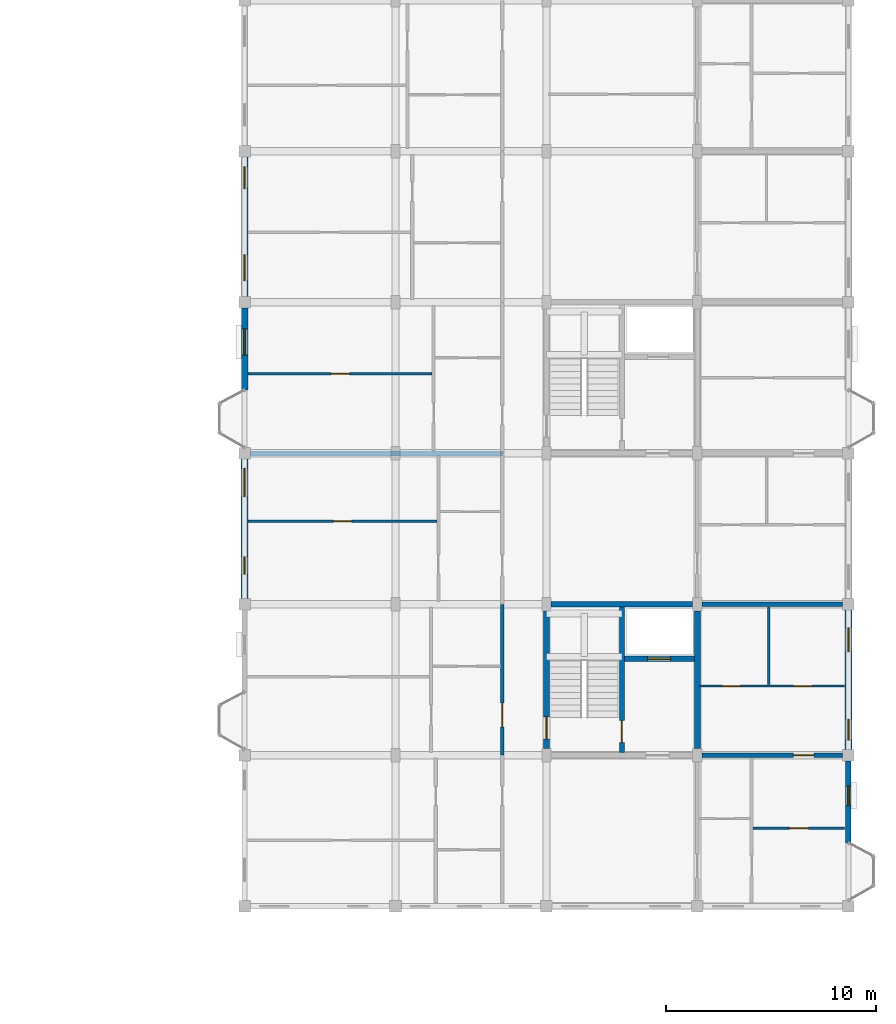
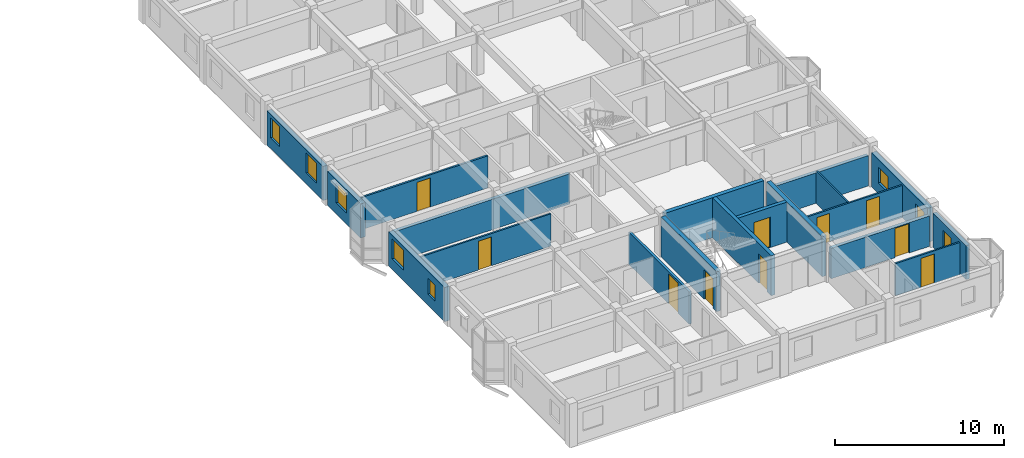
# One storey, part 61 of 77: 19 walls, 10 doors, 8 windows, 18 openings.
"""IFC4 building model written with IfcOpenShell, lengths in metres."""

from ifc_helpers import new_model, si_unit, direction, frame, frame_2d, origin, place, context, subcontext, project, spatial, rectangle, extrude, material, layer, layer_set, type_object, element, fill, save


model = new_model("IFC4")

# Units and contexts
model_context = context("Model", 3, precision=1e-05, world=origin(), true_north=direction((0.0, 1.0)))
body_context = subcontext(model_context, "Body", "Model", "MODEL_VIEW")
ifc_project = project(units=[si_unit("LENGTHUNIT", "METRE"), si_unit("AREAUNIT", "SQUARE_METRE"), si_unit("VOLUMEUNIT", "CUBIC_METRE"), si_unit("PLANEANGLEUNIT", "RADIAN"), si_unit("MASSUNIT", "GRAM", prefix="KILO"), si_unit("THERMODYNAMICTEMPERATUREUNIT", "KELVIN"), si_unit("POWERUNIT", "WATT")], contexts=[model_context])

# Site, building, storey
site_placement = place(None, origin())
site = spatial("IfcSite", under=ifc_project, at=site_placement, CompositionType="ELEMENT")
building_placement = place(site_placement, origin())
building = spatial("IfcBuilding", under=site, at=building_placement, Name="Tavuni Mirador Residences", CompositionType="ELEMENT")
storey_placement = place(building_placement, frame((0.0, 0.0, 17.10009765625)))
storey = spatial("IfcBuildingStorey", under=building, at=storey_placement, Name="L05", CompositionType="ELEMENT", Elevation=17.10009765625)

# Wall, opening, door
ifc_material_1 = material(Name="Precast concrete C40/50", Category="concrete")
ifc_layer_1 = layer(ifc_material_1, 0.25, Name="Precast concrete C40/50", Category="concrete")
ifc_layer_set_1 = layer_set([ifc_layer_1], Name="Precast concrete C40/50")
wall_type_1 = type_object("IfcWallType", Name="WT-COR250", PredefinedType="SHEAR", material=ifc_layer_set_1)
wall_1_placement = place(storey_placement, frame((108.0, 93.739990234375, 0.0), z_axis=(0.0, 0.0, 1.0), x_axis=(0.0, 1.0, 0.0)))
wall_1 = element("IfcWall", 1, at=wall_1_placement, inside=storey, type_object=wall_type_1, Name="CWALL-C7-L05-MID", PredefinedType="SHEAR", context=body_context, shape_type="SweptSolid", body=[
    extrude(rectangle(XDim=6.919921875, YDim=0.25, at=frame_2d((3.4599609375, 0.0))), origin(), (0.0, 0.0, 1.0), 2.889892578125),
])
opening_1_placement = place(wall_1_placement, frame((0.4599609375, 0.0, 0.0)))
opening_1 = element("IfcOpeningElement", 2, at=opening_1_placement, cuts=wall_1, Name="Opening D-01", PredefinedType="OPENING", context=body_context, shape_type="SweptSolid", body=[
    extrude(rectangle(XDim=1.050048828125, YDim=2.14990234375, at=frame_2d((0.52490234375, 1.074951171875))), frame((0.0, 0.135009765625, 0.0), z_axis=(0.0, -1.0, 0.0), x_axis=(1.0, 0.0, 0.0)), (0.0, 0.0, 1.0), 0.27001953125),
])
ifc_material_2 = material(Name="Solid core iroko timber", Category="wood")
door_type_1 = type_object("IfcDoorType", Name="DT-ST1050", OperationType="NOTDEFINED", PredefinedType="DOOR", material=ifc_material_2)
door_1_placement = place(opening_1_placement, origin())
door_1 = element("IfcDoor", 3, at=door_1_placement, inside=storey, type_object=door_type_1, Name="DR-2287", OperationType="SINGLE_SWING_LEFT", OverallHeight=2.14990234375, OverallWidth=1.050048828125, PredefinedType="DOOR", context=body_context, shape_type="SweptSolid", body=[
    extrude(rectangle(XDim=1.050048828125, YDim=2.14990234375, at=frame_2d((0.52490234375, 1.074951171875))), frame((0.0, 0.02490234375, 0.0), z_axis=(0.0, -1.0, 0.0), x_axis=(1.0, 0.0, 0.0)), (0.0, 0.0, 1.0), 0.050048828125),
])
fill(opening_1, door_1)

wall_2_placement = place(storey_placement, frame((108.125, 98.199951171875, 0.0), z_axis=(0.0, 0.0, 1.0), x_axis=(1.0, 0.0, 0.0)))
wall_2 = element("IfcWall", 4, at=wall_2_placement, inside=storey, type_object=wall_type_1, Name="CWALL-C7-L05-SHF", PredefinedType="SHEAR", context=body_context, shape_type="SweptSolid", body=[
    extrude(rectangle(XDim=3.3349609375, YDim=0.25, at=frame_2d((1.66748046875, 0.0))), origin(), (0.0, 0.0, 1.0), 2.889892578125),
])
opening_2_placement = place(wall_2_placement, frame((1.10009765625, 0.0, 0.0)))
opening_2 = element("IfcOpeningElement", 5, at=opening_2_placement, cuts=wall_2, Name="Opening LD-01", PredefinedType="OPENING", context=body_context, shape_type="SweptSolid", body=[
    extrude(rectangle(XDim=1.10009765625, YDim=2.199951171875, at=frame_2d((0.550048828125, 1.10009765625))), frame((0.0, 0.135009765625, 0.0), z_axis=(0.0, -1.0, 0.0), x_axis=(1.0, 0.0, 0.0)), (0.0, 0.0, 1.0), 0.27001953125),
])
ifc_material_3 = material(Name="Structural steel S355", Category="steel")
door_type_2 = type_object("IfcDoorType", Name="DT-LD-FF", OperationType="SLIDING_TO_LEFT", PredefinedType="DOOR", material=ifc_material_3)
door_2_placement = place(opening_2_placement, origin())
door_2 = element("IfcDoor", 6, at=door_2_placement, inside=storey, type_object=door_type_2, Name="Lift landing door FL-D1 L05", OperationType="SLIDING_TO_LEFT", OverallHeight=2.199951171875, OverallWidth=1.10009765625, PredefinedType="DOOR", context=body_context, shape_type="SweptSolid", body=[
    extrude(rectangle(XDim=1.10009765625, YDim=2.199951171875, at=frame_2d((0.550048828125, 1.10009765625))), frame((0.0, 0.02490234375, 0.0), z_axis=(0.0, -1.0, 0.0), x_axis=(1.0, 0.0, 0.0)), (0.0, 0.0, 1.0), 0.050048828125),
])
fill(opening_2, door_2)

ifc_layer_2 = layer(ifc_material_1, 0.280029296875, Name="Precast concrete C40/50", Category="concrete")
ifc_layer_set_2 = layer_set([ifc_layer_2], Name="Precast concrete C40/50")
wall_type_2 = type_object("IfcWallType", Name="WT-COR280", PredefinedType="SHEAR", material=ifc_layer_set_2)
wall_3_placement = place(storey_placement, frame((104.39990234375, 93.925048828125, 0.0), z_axis=(0.0, 0.0, 1.0), x_axis=(0.0, 1.0, 0.0)))
wall_3 = element("IfcWall", 7, at=wall_3_placement, inside=storey, type_object=wall_type_2, Name="CWALL-C7-L05-W", PredefinedType="SHEAR", context=body_context, shape_type="SweptSolid", body=[
    extrude(rectangle(XDim=6.550048828125, YDim=0.280029296875, at=frame_2d((3.27490234375, 0.0))), origin(), (0.0, 0.0, 1.0), 2.889892578125),
])
opening_3_placement = place(wall_3_placement, frame((0.449951171875, 0.0, 0.0)))
opening_3 = element("IfcOpeningElement", 8, at=opening_3_placement, cuts=wall_3, Name="Opening D-01", PredefinedType="OPENING", context=body_context, shape_type="SweptSolid", body=[
    extrude(rectangle(XDim=1.050048828125, YDim=2.14990234375, at=frame_2d((0.52490234375, 1.074951171875))), frame((0.0, 0.14990234375, 0.0), z_axis=(0.0, -1.0, 0.0), x_axis=(1.0, 0.0, 0.0)), (0.0, 0.0, 1.0), 0.300048828125),
])
door_3_placement = place(opening_3_placement, origin())
door_3 = element("IfcDoor", 9, at=door_3_placement, inside=storey, type_object=door_type_1, Name="DR-2285", OperationType="SINGLE_SWING_RIGHT", OverallHeight=2.14990234375, OverallWidth=1.050048828125, PredefinedType="DOOR", context=body_context, shape_type="SweptSolid", body=[
    extrude(rectangle(XDim=1.050048828125, YDim=2.14990234375, at=frame_2d((0.52490234375, 1.074951171875))), frame((0.0, 0.02490234375, 0.0), z_axis=(0.0, -1.0, 0.0), x_axis=(1.0, 0.0, 0.0)), (0.0, 0.0, 1.0), 0.050048828125),
])
fill(opening_3, door_3)

# Walls
wall_4_placement = place(storey_placement, frame((104.625, 100.800048828125, 0.0), z_axis=(0.0, 0.0, 1.0), x_axis=(1.0, 0.0, 0.0)))
element("IfcWall", 10, at=wall_4_placement, inside=storey, type_object=wall_type_2, Name="CWALL-C7-L05-N", PredefinedType="SHEAR", context=body_context, shape_type="SweptSolid", body=[
    extrude(rectangle(XDim=6.75, YDim=0.280029296875, at=frame_2d((3.375, 0.0))), origin(), (0.0, 0.0, 1.0), 2.889892578125),
])
wall_5_placement = place(storey_placement, frame((111.60009765625, 93.925048828125, 0.0), z_axis=(0.0, 0.0, 1.0), x_axis=(0.0, 1.0, 0.0)))
element("IfcWall", 11, at=wall_5_placement, inside=storey, type_object=wall_type_2, Name="CWALL-C7-L05-E", PredefinedType="SHEAR", context=body_context, shape_type="SweptSolid", body=[
    extrude(rectangle(XDim=6.550048828125, YDim=0.280029296875, at=frame_2d((3.27490234375, 0.0))), origin(), (0.0, 0.0, 1.0), 2.889892578125),
])

# Wall, opening, door
ifc_layer_3 = layer(ifc_material_1, 0.1650390625, Name="Precast concrete C40/50", Category="concrete")
ifc_layer_set_3 = layer_set([ifc_layer_3], Name="Precast concrete C40/50")
wall_type_3 = type_object("IfcWallType", Name="WT-CORR165", PredefinedType="PARTITIONING", material=ifc_layer_set_3)
wall_6_placement = place(storey_placement, frame((102.300048828125, 93.6201171875, 0.0), z_axis=(0.0, 0.0, 1.0), x_axis=(0.0, 1.0, 0.0)))
wall_6 = element("IfcWall", 12, at=wall_6_placement, inside=storey, type_object=wall_type_3, Name="CORW-BLK-D-L05-0-01", PredefinedType="PARTITIONING", context=body_context, shape_type="SweptSolid", body=[
    extrude(rectangle(XDim=7.159912109375, YDim=0.1650390625, at=frame_2d((3.580078125, 0.0))), origin(), (0.0, 0.0, 1.0), 2.324951171875),
])
opening_4_placement = place(wall_6_placement, frame((1.330078125, 0.0, 0.0)))
opening_4 = element("IfcOpeningElement", 13, at=opening_4_placement, cuts=wall_6, Name="Opening D-20", PredefinedType="OPENING", context=body_context, shape_type="SweptSolid", body=[
    extrude(rectangle(XDim=1.139892578125, YDim=2.179931640625, at=frame_2d((0.56982421875, 1.08984375))), frame((0.0, 0.092529296875, 0.0), z_axis=(0.0, -1.0, 0.0), x_axis=(1.0, 0.0, 0.0)), (0.0, 0.0, 1.0), 0.18505859375),
])
door_type_3 = type_object("IfcDoorType", Name="DT-FD60-1140", OperationType="NOTDEFINED", PredefinedType="DOOR", material=ifc_material_2)
door_4_placement = place(opening_4_placement, origin())
door_4 = element("IfcDoor", 14, at=door_4_placement, inside=storey, type_object=door_type_3, Name="DR-2870", OperationType="SINGLE_SWING_LEFT", OverallHeight=2.179931640625, OverallWidth=1.139892578125, PredefinedType="DOOR", context=body_context, shape_type="SweptSolid", body=[
    extrude(rectangle(XDim=1.139892578125, YDim=2.179931640625, at=frame_2d((0.56982421875, 1.08984375))), frame((0.0, 0.02490234375, 0.0), z_axis=(0.0, -1.0, 0.0), x_axis=(1.0, 0.0, 0.0)), (0.0, 0.0, 1.0), 0.050048828125),
])
fill(opening_4, door_4)

# Wall, openings, windows
ifc_layer_4 = layer(ifc_material_1, 0.330078125, Name="Precast concrete C40/50", Category="concrete")
ifc_layer_set_4 = layer_set([ifc_layer_4], Name="Precast concrete C40/50")
wall_type_4 = type_object("IfcWallType", Name="WT-EXT-COR330", PredefinedType="SOLIDWALL", material=ifc_layer_set_4)
wall_7_placement = place(storey_placement, frame((90.0, 107.72509765625, 0.0), z_axis=(0.0, 0.0, 1.0), x_axis=(0.0, -1.0, 0.0)))
wall_7 = element("IfcWall", 15, at=wall_7_placement, inside=storey, type_object=wall_type_4, Name="EW-BLK-D-L05-W02", PredefinedType="SOLIDWALL", context=body_context, shape_type="SweptSolid", body=[
    extrude(rectangle(XDim=6.650146484375, YDim=0.330078125, at=frame_2d((3.3251953125, 0.0))), origin(), (0.0, 0.0, 1.0), 2.4599609375),
])
opening_5_placement = place(wall_7_placement, frame((0.449951171875, 0.0, 0.780029296875)))
opening_5 = element("IfcOpeningElement", 16, at=opening_5_placement, cuts=wall_7, Name="Opening WN-29", PredefinedType="OPENING", context=body_context, shape_type="SweptSolid", body=[
    extrude(rectangle(XDim=1.35009765625, YDim=1.43994140625, at=frame_2d((0.675048828125, 0.719970703125))), frame((0.0, 0.175048828125, 0.0), z_axis=(0.0, -1.0, 0.0), x_axis=(1.0, 0.0, 0.0)), (0.0, 0.0, 1.0), 0.35009765625),
])
opening_6_placement = place(wall_7_placement, frame((4.64990234375, 0.0, 0.780029296875)))
opening_6 = element("IfcOpeningElement", 17, at=opening_6_placement, cuts=wall_7, Name="Opening WN-01", PredefinedType="OPENING", context=body_context, shape_type="SweptSolid", body=[
    extrude(rectangle(XDim=0.85009765625, YDim=1.14990234375, at=frame_2d((0.425048828125, 0.574951171875))), frame((0.0, 0.175048828125, 0.0), z_axis=(0.0, -1.0, 0.0), x_axis=(1.0, 0.0, 0.0)), (0.0, 0.0, 1.0), 0.35009765625),
])
ifc_material_4 = material(Name="Laminated solar-control glass", Category="glass")
window_type_1 = type_object("IfcWindowType", Name="WNT-01", PartitioningType="SINGLE_PANEL", PredefinedType="WINDOW", material=ifc_material_4)
window_1_placement = place(opening_6_placement, origin())
window_1 = element("IfcWindow", 18, at=window_1_placement, inside=storey, type_object=window_type_1, Name="WIN-1644", OverallHeight=1.14990234375, OverallWidth=0.85009765625, PartitioningType="SINGLE_PANEL", PredefinedType="WINDOW", context=body_context, shape_type="SweptSolid", body=[
    extrude(rectangle(XDim=0.85009765625, YDim=1.14990234375, at=frame_2d((0.425048828125, 0.574951171875))), frame((0.0, 0.030029296875, 0.0), z_axis=(0.0, -1.0, 0.0), x_axis=(1.0, 0.0, 0.0)), (0.0, 0.0, 1.0), 0.06005859375),
])
fill(opening_6, window_1)
window_type_2 = type_object("IfcWindowType", Name="WNT-29", PartitioningType="SINGLE_PANEL", PredefinedType="WINDOW", material=ifc_material_4)
window_2_placement = place(opening_5_placement, origin())
window_2 = element("IfcWindow", 19, at=window_2_placement, inside=storey, type_object=window_type_2, Name="WIN-1643", OverallHeight=1.43994140625, OverallWidth=1.35009765625, PartitioningType="SINGLE_PANEL", PredefinedType="WINDOW", context=body_context, shape_type="SweptSolid", body=[
    extrude(rectangle(XDim=1.35009765625, YDim=1.43994140625, at=frame_2d((0.675048828125, 0.719970703125))), frame((0.0, 0.030029296875, 0.0), z_axis=(0.0, -1.0, 0.0), x_axis=(1.0, 0.0, 0.0)), (0.0, 0.0, 1.0), 0.06005859375),
])
fill(opening_5, window_2)

# Wall, opening, window
ifc_material_5 = material(Name="Sgraffito lime-rendered precast concrete C40/50", Category="concrete")
ifc_layer_5 = layer(ifc_material_5, 0.2548828125, Name="Sgraffito lime-rendered precast concrete C40/50", Category="concrete")
ifc_layer_set_5 = layer_set([ifc_layer_5], Name="Sgraffito lime-rendered precast concrete C40/50")
wall_type_5 = type_object("IfcWallType", Name="WT-EXT-PC255", PredefinedType="SOLIDWALL", material=ifc_layer_set_5)
wall_8_placement = place(storey_placement, frame((118.800048828125, 89.419921875, 0.0), z_axis=(0.0, 0.0, 1.0), x_axis=(0.0, 1.0, 0.0)))
wall_8 = element("IfcWall", 20, at=wall_8_placement, inside=storey, type_object=wall_type_5, Name="EW-BLK-D-L05-E00", PredefinedType="SOLIDWALL", context=body_context, shape_type="SweptSolid", body=[
    extrude(rectangle(XDim=3.905029296875, YDim=0.2548828125, at=frame_2d((1.95263671875, 0.0))), origin(), (0.0, 0.0, 1.0), 2.4599609375),
])
opening_7_placement = place(wall_8_placement, frame((1.78759765625, 0.0, 0.780029296875)))
opening_7 = element("IfcOpeningElement", 21, at=opening_7_placement, cuts=wall_8, Name="Opening WN-02", PredefinedType="OPENING", context=body_context, shape_type="SweptSolid", body=[
    extrude(rectangle(XDim=0.919921875, YDim=1.14990234375, at=frame_2d((0.4599609375, 0.574951171875))), frame((0.0, 0.137451171875, 0.0), z_axis=(0.0, -1.0, 0.0), x_axis=(1.0, 0.0, 0.0)), (0.0, 0.0, 1.0), 0.27490234375),
])
window_type_3 = type_object("IfcWindowType", Name="WNT-02", PartitioningType="SINGLE_PANEL", PredefinedType="WINDOW", material=ifc_material_4)
window_3_placement = place(opening_7_placement, origin())
window_3 = element("IfcWindow", 22, at=window_3_placement, inside=storey, type_object=window_type_3, Name="WIN-1616", OverallHeight=1.14990234375, OverallWidth=0.919921875, PartitioningType="SINGLE_PANEL", PredefinedType="WINDOW", context=body_context, shape_type="SweptSolid", body=[
    extrude(rectangle(XDim=0.919921875, YDim=1.14990234375, at=frame_2d((0.4599609375, 0.574951171875))), frame((0.0, 0.030029296875, 0.0), z_axis=(0.0, -1.0, 0.0), x_axis=(1.0, 0.0, 0.0)), (0.0, 0.0, 1.0), 0.06005859375),
])
fill(opening_7, window_3)

# Wall, openings, windows
ifc_layer_6 = layer(ifc_material_5, 0.304931640625, Name="Sgraffito lime-rendered precast concrete C40/50", Category="concrete")
ifc_layer_set_6 = layer_set([ifc_layer_6], Name="Sgraffito lime-rendered precast concrete C40/50")
wall_type_6 = type_object("IfcWallType", Name="WT-EXT-PC305", PredefinedType="SOLIDWALL", material=ifc_layer_set_6)
wall_9_placement = place(storey_placement, frame((90.0, 122.125, 0.0), z_axis=(0.0, 0.0, 1.0), x_axis=(0.0, -1.0, 0.0)))
wall_9 = element("IfcWall", 23, at=wall_9_placement, inside=storey, type_object=wall_type_6, Name="EW-BLK-D-L05-W04", PredefinedType="SOLIDWALL", context=body_context, shape_type="SweptSolid", body=[
    extrude(rectangle(XDim=6.64990234375, YDim=0.304931640625, at=frame_2d((3.324951171875, 0.0))), origin(), (0.0, 0.0, 1.0), 2.4599609375),
])
opening_8_placement = place(wall_9_placement, frame((0.449951171875, 0.0, 0.780029296875)))
opening_8 = element("IfcOpeningElement", 24, at=opening_8_placement, cuts=wall_9, Name="Opening WN-26", PredefinedType="OPENING", context=body_context, shape_type="SweptSolid", body=[
    extrude(rectangle(XDim=1.050048828125, YDim=1.43994140625, at=frame_2d((0.52490234375, 0.719970703125))), frame((0.0, 0.16259765625, 0.0), z_axis=(0.0, -1.0, 0.0), x_axis=(1.0, 0.0, 0.0)), (0.0, 0.0, 1.0), 0.324951171875),
])
opening_9_placement = place(wall_9_placement, frame((4.64990234375, 0.0, 0.780029296875)))
opening_9 = element("IfcOpeningElement", 25, at=opening_9_placement, cuts=wall_9, Name="Opening WN-28", PredefinedType="OPENING", context=body_context, shape_type="SweptSolid", body=[
    extrude(rectangle(XDim=1.25, YDim=1.43994140625, at=frame_2d((0.625, 0.719970703125))), frame((0.0, 0.16259765625, 0.0), z_axis=(0.0, -1.0, 0.0), x_axis=(1.0, 0.0, 0.0)), (0.0, 0.0, 1.0), 0.324951171875),
])
window_type_4 = type_object("IfcWindowType", Name="WNT-26", PartitioningType="SINGLE_PANEL", PredefinedType="WINDOW", material=ifc_material_4)
window_4_placement = place(opening_8_placement, origin())
window_4 = element("IfcWindow", 26, at=window_4_placement, inside=storey, type_object=window_type_4, Name="WIN-1640", OverallHeight=1.43994140625, OverallWidth=1.050048828125, PartitioningType="SINGLE_PANEL", PredefinedType="WINDOW", context=body_context, shape_type="SweptSolid", body=[
    extrude(rectangle(XDim=1.050048828125, YDim=1.43994140625, at=frame_2d((0.52490234375, 0.719970703125))), frame((0.0, 0.030029296875, 0.0), z_axis=(0.0, -1.0, 0.0), x_axis=(1.0, 0.0, 0.0)), (0.0, 0.0, 1.0), 0.06005859375),
])
fill(opening_8, window_4)
window_type_5 = type_object("IfcWindowType", Name="WNT-28", PartitioningType="SINGLE_PANEL", PredefinedType="WINDOW", material=ifc_material_4)
window_5_placement = place(opening_9_placement, origin())
window_5 = element("IfcWindow", 27, at=window_5_placement, inside=storey, type_object=window_type_5, Name="WIN-1641", OverallHeight=1.43994140625, OverallWidth=1.25, PartitioningType="SINGLE_PANEL", PredefinedType="WINDOW", context=body_context, shape_type="SweptSolid", body=[
    extrude(rectangle(XDim=1.25, YDim=1.43994140625, at=frame_2d((0.625, 0.719970703125))), frame((0.0, 0.030029296875, 0.0), z_axis=(0.0, -1.0, 0.0), x_axis=(1.0, 0.0, 0.0)), (0.0, 0.0, 1.0), 0.06005859375),
])
fill(opening_9, window_5)

# Wall, opening, window
ifc_layer_7 = layer(ifc_material_5, 0.31494140625, Name="Sgraffito lime-rendered precast concrete C40/50", Category="concrete")
ifc_layer_set_7 = layer_set([ifc_layer_7], Name="Sgraffito lime-rendered precast concrete C40/50")
wall_type_7 = type_object("IfcWallType", Name="WT-EXT-PC315", PredefinedType="SOLIDWALL", material=ifc_layer_set_7)
wall_10_placement = place(storey_placement, frame((90.0, 114.925048828125, 0.0), z_axis=(0.0, 0.0, 1.0), x_axis=(0.0, -1.0, 0.0)))
wall_10 = element("IfcWall", 28, at=wall_10_placement, inside=storey, type_object=wall_type_7, Name="EW-BLK-D-L05-W03", PredefinedType="SOLIDWALL", context=body_context, shape_type="SweptSolid", body=[
    extrude(rectangle(XDim=3.905029296875, YDim=0.31494140625, at=frame_2d((1.95263671875, 0.0))), origin(), (0.0, 0.0, 1.0), 2.4599609375),
])
opening_10_placement = place(wall_10_placement, frame((0.992431640625, 0.0, 0.780029296875)))
opening_10 = element("IfcOpeningElement", 29, at=opening_10_placement, cuts=wall_10, Name="Opening WN-28", PredefinedType="OPENING", context=body_context, shape_type="SweptSolid", body=[
    extrude(rectangle(XDim=1.25, YDim=1.43994140625, at=frame_2d((0.625, 0.719970703125))), frame((0.0, 0.16748046875, 0.0), z_axis=(0.0, -1.0, 0.0), x_axis=(1.0, 0.0, 0.0)), (0.0, 0.0, 1.0), 0.3349609375),
])
window_6_placement = place(opening_10_placement, origin())
window_6 = element("IfcWindow", 30, at=window_6_placement, inside=storey, type_object=window_type_5, Name="WIN-1642", OverallHeight=1.43994140625, OverallWidth=1.25, PartitioningType="SINGLE_PANEL", PredefinedType="WINDOW", context=body_context, shape_type="SweptSolid", body=[
    extrude(rectangle(XDim=1.25, YDim=1.43994140625, at=frame_2d((0.625, 0.719970703125))), frame((0.0, 0.030029296875, 0.0), z_axis=(0.0, -1.0, 0.0), x_axis=(1.0, 0.0, 0.0)), (0.0, 0.0, 1.0), 0.06005859375),
])
fill(opening_10, window_6)

# Wall, openings, windows
ifc_layer_8 = layer(ifc_material_5, 0.344970703125, Name="Sgraffito lime-rendered precast concrete C40/50", Category="concrete")
ifc_layer_set_8 = layer_set([ifc_layer_8], Name="Sgraffito lime-rendered precast concrete C40/50")
wall_type_8 = type_object("IfcWallType", Name="WT-EXT-PTY345", PredefinedType="SOLIDWALL", material=ifc_layer_set_8)
wall_11_placement = place(storey_placement, frame((118.800048828125, 93.875, 0.0), z_axis=(0.0, 0.0, 1.0), x_axis=(0.0, 1.0, 0.0)))
wall_11 = element("IfcWall", 31, at=wall_11_placement, inside=storey, type_object=wall_type_8, Name="EW-BLK-D-L05-E01", PredefinedType="SOLIDWALL", context=body_context, shape_type="SweptSolid", body=[
    extrude(rectangle(XDim=6.64990234375, YDim=0.344970703125, at=frame_2d((3.324951171875, 0.0))), origin(), (0.0, 0.0, 1.0), 2.4599609375),
])
opening_11_placement = place(wall_11_placement, frame((0.449951171875, 0.0, 0.780029296875)))
opening_11 = element("IfcOpeningElement", 32, at=opening_11_placement, cuts=wall_11, Name="Opening WN-03", PredefinedType="OPENING", context=body_context, shape_type="SweptSolid", body=[
    extrude(rectangle(XDim=1.0, YDim=1.14990234375, at=frame_2d((0.5, 0.574951171875))), frame((0.0, 0.1826171875, 0.0), z_axis=(0.0, -1.0, 0.0), x_axis=(1.0, 0.0, 0.0)), (0.0, 0.0, 1.0), 0.364990234375),
])
opening_12_placement = place(wall_11_placement, frame((4.64990234375, 0.0, 0.780029296875)))
opening_12 = element("IfcOpeningElement", 33, at=opening_12_placement, cuts=wall_11, Name="Opening WN-05", PredefinedType="OPENING", context=body_context, shape_type="SweptSolid", body=[
    extrude(rectangle(XDim=1.159912109375, YDim=1.14990234375, at=frame_2d((0.580078125, 0.574951171875))), frame((0.0, 0.1826171875, 0.0), z_axis=(0.0, -1.0, 0.0), x_axis=(1.0, 0.0, 0.0)), (0.0, 0.0, 1.0), 0.364990234375),
])
window_type_6 = type_object("IfcWindowType", Name="WNT-03", PartitioningType="SINGLE_PANEL", PredefinedType="WINDOW", material=ifc_material_4)
window_7_placement = place(opening_11_placement, origin())
window_7 = element("IfcWindow", 34, at=window_7_placement, inside=storey, type_object=window_type_6, Name="WIN-1617", OverallHeight=1.14990234375, OverallWidth=1.0, PartitioningType="SINGLE_PANEL", PredefinedType="WINDOW", context=body_context, shape_type="SweptSolid", body=[
    extrude(rectangle(XDim=1.0, YDim=1.14990234375, at=frame_2d((0.5, 0.574951171875))), frame((0.0, 0.030029296875, 0.0), z_axis=(0.0, -1.0, 0.0), x_axis=(1.0, 0.0, 0.0)), (0.0, 0.0, 1.0), 0.06005859375),
])
fill(opening_11, window_7)
window_type_7 = type_object("IfcWindowType", Name="WNT-05", PartitioningType="SINGLE_PANEL", PredefinedType="WINDOW", material=ifc_material_4)
window_8_placement = place(opening_12_placement, origin())
window_8 = element("IfcWindow", 35, at=window_8_placement, inside=storey, type_object=window_type_7, Name="WIN-1618", OverallHeight=1.14990234375, OverallWidth=1.159912109375, PartitioningType="SINGLE_PANEL", PredefinedType="WINDOW", context=body_context, shape_type="SweptSolid", body=[
    extrude(rectangle(XDim=1.159912109375, YDim=1.14990234375, at=frame_2d((0.580078125, 0.574951171875))), frame((0.0, 0.030029296875, 0.0), z_axis=(0.0, -1.0, 0.0), x_axis=(1.0, 0.0, 0.0)), (0.0, 0.0, 1.0), 0.06005859375),
])
fill(opening_12, window_8)

# Wall
ifc_material_6 = material(Name="Acoustic gypsum and concrete block partition", Category="concrete")
ifc_layer_9 = layer(ifc_material_6, 0.10498046875, Name="Acoustic gypsum and concrete block partition", Category="concrete")
ifc_layer_set_9 = layer_set([ifc_layer_9], Name="Acoustic gypsum and concrete block partition")
wall_type_9 = type_object("IfcWallType", Name="WT-PART105", PredefinedType="PARTITIONING", material=ifc_layer_set_9)
wall_12_placement = place(storey_placement, frame((115.0, 96.969970703125, 0.0), z_axis=(0.0, 0.0, 1.0), x_axis=(0.0, 1.0, 0.0)))
element("IfcWall", 36, at=wall_12_placement, inside=storey, type_object=wall_type_9, Name="PW-BLK-D-L05-PF01-V", PredefinedType="PARTITIONING", context=body_context, shape_type="SweptSolid", body=[
    extrude(rectangle(XDim=3.68994140625, YDim=0.10498046875, at=frame_2d((1.844970703125, 0.0))), origin(), (0.0, 0.0, 1.0), 2.324951171875),
])

# Wall, opening, door
ifc_layer_10 = layer(ifc_material_6, 0.114990234375, Name="Acoustic gypsum and concrete block partition", Category="concrete")
ifc_layer_set_10 = layer_set([ifc_layer_10], Name="Acoustic gypsum and concrete block partition")
wall_type_10 = type_object("IfcWallType", Name="WT-PART115", PredefinedType="PARTITIONING", material=ifc_layer_set_10)
wall_13_placement = place(storey_placement, frame((114.25, 90.1201171875, 0.0), z_axis=(0.0, 0.0, 1.0), x_axis=(1.0, 0.0, 0.0)))
wall_13 = element("IfcWall", 37, at=wall_13_placement, inside=storey, type_object=wall_type_10, Name="PW-BLK-D-L05-E00-OUT", PredefinedType="PARTITIONING", context=body_context, shape_type="SweptSolid", body=[
    extrude(rectangle(XDim=4.375, YDim=0.114990234375, at=frame_2d((2.1875, 0.0))), origin(), (0.0, 0.0, 1.0), 2.324951171875),
])
opening_13_placement = place(wall_13_placement, frame((1.737548828125, 0.0, 0.0)))
opening_13 = element("IfcOpeningElement", 38, at=opening_13_placement, cuts=wall_13, Name="Opening D-07", PredefinedType="OPENING", context=body_context, shape_type="SweptSolid", body=[
    extrude(rectangle(XDim=0.89990234375, YDim=2.10009765625, at=frame_2d((0.449951171875, 1.050048828125))), frame((0.0, 0.0673828125, 0.0), z_axis=(0.0, -1.0, 0.0), x_axis=(1.0, 0.0, 0.0)), (0.0, 0.0, 1.0), 0.135009765625),
])
door_type_4 = type_object("IfcDoorType", Name="DT-BED900", OperationType="NOTDEFINED", PredefinedType="DOOR", material=ifc_material_2)
door_5_placement = place(opening_13_placement, origin())
door_5 = element("IfcDoor", 39, at=door_5_placement, inside=storey, type_object=door_type_4, Name="DR-4474", OperationType="SINGLE_SWING_LEFT", OverallHeight=2.10009765625, OverallWidth=0.89990234375, PredefinedType="DOOR", context=body_context, shape_type="SweptSolid", body=[
    extrude(rectangle(XDim=0.89990234375, YDim=2.10009765625, at=frame_2d((0.449951171875, 1.050048828125))), frame((0.0, 0.02490234375, 0.0), z_axis=(0.0, -1.0, 0.0), x_axis=(1.0, 0.0, 0.0)), (0.0, 0.0, 1.0), 0.050048828125),
])
fill(opening_13, door_5)

# Wall, openings, doors
wall_14_placement = place(storey_placement, frame((111.68994140625, 96.89990234375, 0.0), z_axis=(0.0, 0.0, 1.0), x_axis=(1.0, 0.0, 0.0)))
wall_14 = element("IfcWall", 40, at=wall_14_placement, inside=storey, type_object=wall_type_10, Name="PW-BLK-D-L05-PF01-H", PredefinedType="PARTITIONING", context=body_context, shape_type="SweptSolid", body=[
    extrude(rectangle(XDim=6.93505859375, YDim=0.114990234375, at=frame_2d((3.467529296875, 0.0))), origin(), (0.0, 0.0, 1.0), 2.324951171875),
])
opening_14_placement = place(wall_14_placement, frame((1.10009765625, 0.0, 0.0)))
opening_14 = element("IfcOpeningElement", 41, at=opening_14_placement, cuts=wall_14, Name="Opening D-10", PredefinedType="OPENING", context=body_context, shape_type="SweptSolid", body=[
    extrude(rectangle(XDim=0.8701171875, YDim=2.050048828125, at=frame_2d((0.43505859375, 1.02490234375))), frame((0.0, 0.0673828125, 0.0), z_axis=(0.0, -1.0, 0.0), x_axis=(1.0, 0.0, 0.0)), (0.0, 0.0, 1.0), 0.135009765625),
])
opening_15_placement = place(wall_14_placement, frame((4.5, 0.0, 0.0)))
opening_15 = element("IfcOpeningElement", 42, at=opening_15_placement, cuts=wall_14, Name="Opening D-08", PredefinedType="OPENING", context=body_context, shape_type="SweptSolid", body=[
    extrude(rectangle(XDim=0.8798828125, YDim=2.080078125, at=frame_2d((0.43994140625, 1.0400390625))), frame((0.0, 0.0673828125, 0.0), z_axis=(0.0, -1.0, 0.0), x_axis=(1.0, 0.0, 0.0)), (0.0, 0.0, 1.0), 0.135009765625),
])
door_type_5 = type_object("IfcDoorType", Name="DT-BED880", OperationType="NOTDEFINED", PredefinedType="DOOR", material=ifc_material_2)
door_6_placement = place(opening_15_placement, origin())
door_6 = element("IfcDoor", 43, at=door_6_placement, inside=storey, type_object=door_type_5, Name="DR-4481", OperationType="SINGLE_SWING_RIGHT", OverallHeight=2.080078125, OverallWidth=0.8798828125, PredefinedType="DOOR", context=body_context, shape_type="SweptSolid", body=[
    extrude(rectangle(XDim=0.8798828125, YDim=2.080078125, at=frame_2d((0.43994140625, 1.0400390625))), frame((0.0, 0.02490234375, 0.0), z_axis=(0.0, -1.0, 0.0), x_axis=(1.0, 0.0, 0.0)), (0.0, 0.0, 1.0), 0.050048828125),
])
fill(opening_15, door_6)
door_type_6 = type_object("IfcDoorType", Name="DT-WC870", OperationType="NOTDEFINED", PredefinedType="DOOR", material=ifc_material_2)
door_7_placement = place(opening_14_placement, origin())
door_7 = element("IfcDoor", 44, at=door_7_placement, inside=storey, type_object=door_type_6, Name="DR-4480", OperationType="SINGLE_SWING_LEFT", OverallHeight=2.050048828125, OverallWidth=0.8701171875, PredefinedType="DOOR", context=body_context, shape_type="SweptSolid", body=[
    extrude(rectangle(XDim=0.8701171875, YDim=2.050048828125, at=frame_2d((0.43505859375, 1.02490234375))), frame((0.0, 0.02490234375, 0.0), z_axis=(0.0, -1.0, 0.0), x_axis=(1.0, 0.0, 0.0)), (0.0, 0.0, 1.0), 0.050048828125),
])
fill(opening_14, door_7)

# Wall, opening, door
wall_15_placement = place(storey_placement, frame((90.175048828125, 104.75, 0.0), z_axis=(0.0, 0.0, 1.0), x_axis=(1.0, 0.0, 0.0)))
wall_15 = element("IfcWall", 45, at=wall_15_placement, inside=storey, type_object=wall_type_10, Name="PW-BLK-D-L05-W02-OUT", PredefinedType="PARTITIONING", context=body_context, shape_type="SweptSolid", body=[
    extrude(rectangle(XDim=8.994873046875, YDim=0.114990234375, at=frame_2d((4.49755859375, 0.0))), origin(), (0.0, 0.0, 1.0), 2.324951171875),
])
opening_16_placement = place(wall_15_placement, frame((4.0576171875, 0.0, 0.0)))
opening_16 = element("IfcOpeningElement", 46, at=opening_16_placement, cuts=wall_15, Name="Opening D-08", PredefinedType="OPENING", context=body_context, shape_type="SweptSolid", body=[
    extrude(rectangle(XDim=0.8798828125, YDim=2.080078125, at=frame_2d((0.43994140625, 1.0400390625))), frame((0.0, 0.0673828125, 0.0), z_axis=(0.0, -1.0, 0.0), x_axis=(1.0, 0.0, 0.0)), (0.0, 0.0, 1.0), 0.135009765625),
])
door_8_placement = place(opening_16_placement, origin())
door_8 = element("IfcDoor", 47, at=door_8_placement, inside=storey, type_object=door_type_5, Name="DR-4482", OperationType="SINGLE_SWING_RIGHT", OverallHeight=2.080078125, OverallWidth=0.8798828125, PredefinedType="DOOR", context=body_context, shape_type="SweptSolid", body=[
    extrude(rectangle(XDim=0.8798828125, YDim=2.080078125, at=frame_2d((0.43994140625, 1.0400390625))), frame((0.0, 0.02490234375, 0.0), z_axis=(0.0, -1.0, 0.0), x_axis=(1.0, 0.0, 0.0)), (0.0, 0.0, 1.0), 0.050048828125),
])
fill(opening_16, door_8)

ifc_layer_11 = layer(ifc_material_6, 0.125, Name="Acoustic gypsum and concrete block partition", Category="concrete")
ifc_layer_set_11 = layer_set([ifc_layer_11], Name="Acoustic gypsum and concrete block partition")
wall_type_11 = type_object("IfcWallType", Name="WT-PART125", PredefinedType="PARTITIONING", material=ifc_layer_set_11)
wall_16_placement = place(storey_placement, frame((90.175048828125, 111.800048828125, 0.0), z_axis=(0.0, 0.0, 1.0), x_axis=(1.0, 0.0, 0.0)))
wall_16 = element("IfcWall", 48, at=wall_16_placement, inside=storey, type_object=wall_type_11, Name="PW-BLK-D-L05-W03-OUT", PredefinedType="PARTITIONING", context=body_context, shape_type="SweptSolid", body=[
    extrude(rectangle(XDim=8.77490234375, YDim=0.125, at=frame_2d((4.387451171875, 0.0))), origin(), (0.0, 0.0, 1.0), 2.324951171875),
])
opening_17_placement = place(wall_16_placement, frame((3.9375, 0.0, 0.0)))
opening_17 = element("IfcOpeningElement", 49, at=opening_17_placement, cuts=wall_16, Name="Opening D-07", PredefinedType="OPENING", context=body_context, shape_type="SweptSolid", body=[
    extrude(rectangle(XDim=0.89990234375, YDim=2.10009765625, at=frame_2d((0.449951171875, 1.050048828125))), frame((0.0, 0.072509765625, 0.0), z_axis=(0.0, -1.0, 0.0), x_axis=(1.0, 0.0, 0.0)), (0.0, 0.0, 1.0), 0.14501953125),
])
door_9_placement = place(opening_17_placement, origin())
door_9 = element("IfcDoor", 50, at=door_9_placement, inside=storey, type_object=door_type_4, Name="DR-4487", OperationType="SINGLE_SWING_LEFT", OverallHeight=2.10009765625, OverallWidth=0.89990234375, PredefinedType="DOOR", context=body_context, shape_type="SweptSolid", body=[
    extrude(rectangle(XDim=0.89990234375, YDim=2.10009765625, at=frame_2d((0.449951171875, 1.050048828125))), frame((0.0, 0.02490234375, 0.0), z_axis=(0.0, -1.0, 0.0), x_axis=(1.0, 0.0, 0.0)), (0.0, 0.0, 1.0), 0.050048828125),
])
fill(opening_17, door_9)

ifc_layer_12 = layer(ifc_material_1, 0.235107421875, Name="Precast concrete C40/50", Category="concrete")
ifc_layer_set_12 = layer_set([ifc_layer_12], Name="Precast concrete C40/50")
wall_type_12 = type_object("IfcWallType", Name="WT-XW235", PredefinedType="SOLIDWALL", material=ifc_layer_set_12)
wall_17_placement = place(storey_placement, frame((111.824951171875, 93.60009765625, 0.0), z_axis=(0.0, 0.0, 1.0), x_axis=(1.0, 0.0, 0.0)))
wall_17 = element("IfcWall", 51, at=wall_17_placement, inside=storey, type_object=wall_type_12, Name="XW-BLK-D-L05-E-01", PredefinedType="SOLIDWALL", context=body_context, shape_type="SweptSolid", body=[
    extrude(rectangle(XDim=6.699951171875, YDim=0.235107421875, at=frame_2d((3.35009765625, 0.0))), origin(), (0.0, 0.0, 1.0), 2.18994140625),
])
opening_18_placement = place(wall_17_placement, frame((4.35009765625, 0.0, 0.0)))
opening_18 = element("IfcOpeningElement", 52, at=opening_18_placement, cuts=wall_17, Name="Opening D-04", PredefinedType="OPENING", context=body_context, shape_type="SweptSolid", body=[
    extrude(rectangle(XDim=0.97998046875, YDim=2.1201171875, at=frame_2d((0.489990234375, 1.06005859375))), frame((0.0, 0.12744140625, 0.0), z_axis=(0.0, -1.0, 0.0), x_axis=(1.0, 0.0, 0.0)), (0.0, 0.0, 1.0), 0.255126953125),
])
door_type_7 = type_object("IfcDoorType", Name="DT-FD60-980", OperationType="NOTDEFINED", PredefinedType="DOOR", material=ifc_material_2)
door_10_placement = place(opening_18_placement, origin())
door_10 = element("IfcDoor", 53, at=door_10_placement, inside=storey, type_object=door_type_7, Name="DR-4768", OperationType="SINGLE_SWING_LEFT", OverallHeight=2.1201171875, OverallWidth=0.97998046875, PredefinedType="DOOR", context=body_context, shape_type="SweptSolid", body=[
    extrude(rectangle(XDim=0.97998046875, YDim=2.1201171875, at=frame_2d((0.489990234375, 1.06005859375))), frame((0.0, 0.02490234375, 0.0), z_axis=(0.0, -1.0, 0.0), x_axis=(1.0, 0.0, 0.0)), (0.0, 0.0, 1.0), 0.050048828125),
])
fill(opening_18, door_10)

# Walls
wall_18_placement = place(storey_placement, frame((111.824951171875, 100.800048828125, 0.0), z_axis=(0.0, 0.0, 1.0), x_axis=(1.0, 0.0, 0.0)))
element("IfcWall", 54, at=wall_18_placement, inside=storey, type_object=wall_type_12, Name="XW-BLK-D-L05-E-02", PredefinedType="SOLIDWALL", context=body_context, shape_type="SweptSolid", body=[
    extrude(rectangle(XDim=6.699951171875, YDim=0.235107421875, at=frame_2d((3.35009765625, 0.0))), origin(), (0.0, 0.0, 1.0), 2.18994140625),
])
wall_19_placement = place(storey_placement, frame((90.27490234375, 108.0, 0.0), z_axis=(0.0, 0.0, 1.0), x_axis=(1.0, 0.0, 0.0)))
element("IfcWall", 55, at=wall_19_placement, inside=storey, type_object=wall_type_12, Name="XW-BLK-D-L05-W-03", PredefinedType="SOLIDWALL", context=body_context, shape_type="SweptSolid", body=[
    extrude(rectangle(XDim=12.025146484375, YDim=0.235107421875, at=frame_2d((6.0126953125, 0.0))), origin(), (0.0, 0.0, 1.0), 2.18994140625),
])

save(model, "model.ifc")
